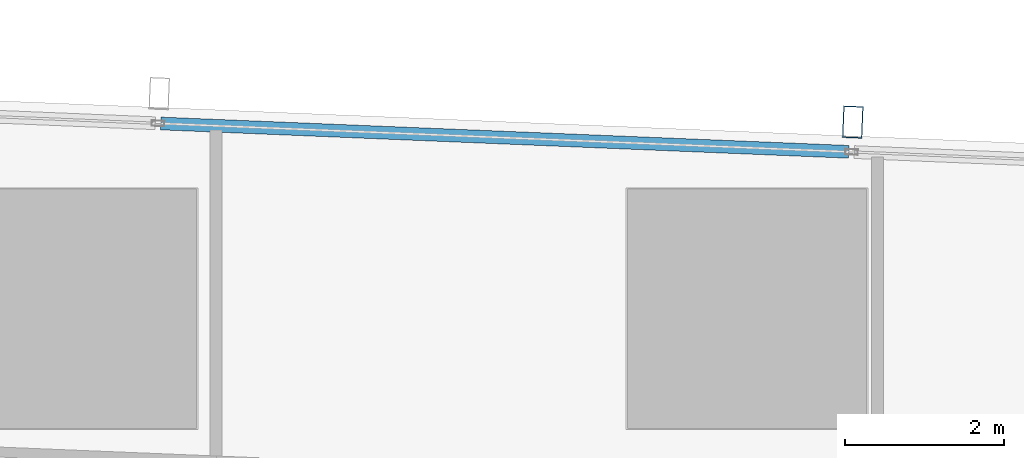
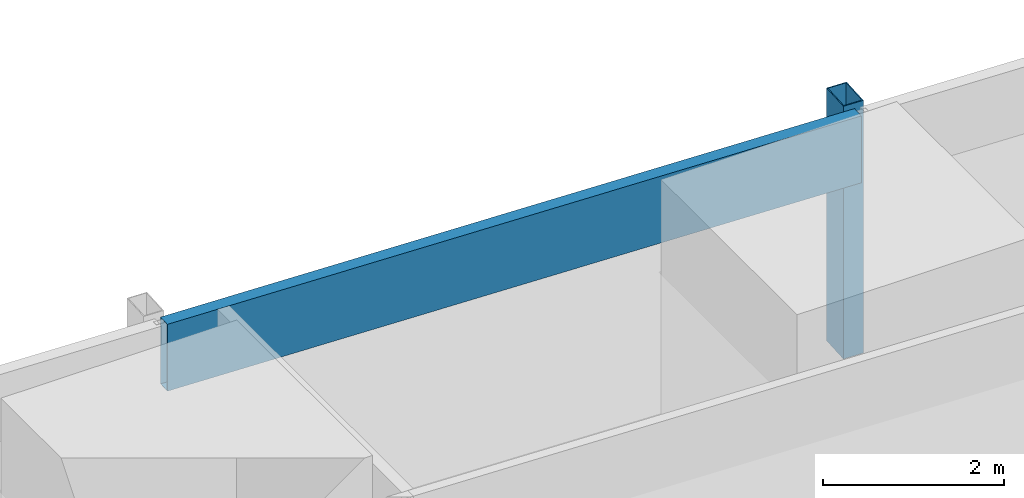
# One storey, part 24 of 44: 2 members, 1 element without a shape of its own.
"""IFC4 building model written with IfcOpenShell, lengths in metres."""

from ifc_helpers import new_model, si_unit, direction, frame, origin, origin_2d, place, context, subcontext, project, spatial, hollow_rectangle, extrude, material, material_profile, profile_set, type_object, element, aggregate, save


model = new_model("IFC4")

# Units and contexts
model_context = context("Model", 3, precision=1e-05, world=origin(), true_north=direction((0.0, 1.0)))
body_context = subcontext(model_context, "Body", "Model", "MODEL_VIEW")
ifc_project = project(units=[si_unit("LENGTHUNIT", "METRE"), si_unit("AREAUNIT", "SQUARE_METRE"), si_unit("VOLUMEUNIT", "CUBIC_METRE"), si_unit("PLANEANGLEUNIT", "RADIAN"), si_unit("MASSUNIT", "GRAM", prefix="KILO")], contexts=[model_context])

# Site, building, storey
site_placement = place(None, origin())
site = spatial("IfcSite", under=ifc_project, at=site_placement, CompositionType="ELEMENT")
building_placement = place(site_placement, origin())
building = spatial("IfcBuilding", under=site, at=building_placement, Name="Rekha Terrace Tower", CompositionType="ELEMENT")
storey_placement = place(building_placement, frame((0.0, 0.0, 81.64990234375)))
storey = spatial("IfcBuildingStorey", under=building, at=storey_placement, Name="L20", CompositionType="ELEMENT", Elevation=81.64990234375)

# Curtain wall, members
ifc_material_1 = material(Name="Aluminium framing", Category="aluminium")
curtain_wall_type = type_object("IfcCurtainWallType", Name="CW3 north unitised glazing", PredefinedType="USERDEFINED", material=ifc_material_1)
curtain_wall_placement = place(storey_placement, origin())
curtain_wall = element("IfcCurtainWall", 1, at=curtain_wall_placement, inside=storey, type_object=curtain_wall_type, Name="CW3 unitised curtain wall", ObjectType="UNITISED CURTAIN WALL", PredefinedType="USERDEFINED")
ifc_material_2 = material(Name="Steel S355 with fluorocarbon finish", Category="steel")
ifc_material_profile_1 = material_profile(ifc_material_2, hollow_rectangle(XDim=0.25, YDim=0.39990234375, WallThickness=0.012451171875, at=origin_2d()), Name="RHS400x250x12.5")
ifc_profile_set_1 = profile_set([ifc_material_profile_1], Name="Steel S355 with fluorocarbon finish")
member_type_1 = type_object("IfcMemberType", Name="BL1 facade blade RHS 400 x 250", PredefinedType="USERDEFINED", material=ifc_profile_set_1)
member_1_placement = place(storey_placement, frame((60.126953125, 61.140869140625, 0.0), z_axis=(0.0, 0.0, 1.0), x_axis=(-0.99915196507, 0.041174636562, 0.0)))
member_1 = element("IfcMember", 2, at=member_1_placement, type_object=member_type_1, Name="Facade blade", ObjectType="FACADE BLADE", PredefinedType="USERDEFINED", context=body_context, shape_type="SweptSolid", body=[
    extrude(hollow_rectangle(XDim=0.25, YDim=0.39990234375, WallThickness=0.012451171875, at=origin_2d()), origin(), (0.0, 0.0, 1.0), 3.400146484375),
])
ifc_material_3 = material(Name="Insulated aluminium spandrel box", Category="aluminium")
ifc_material_profile_2 = material_profile(ifc_material_3, hollow_rectangle(XDim=0.159912109375, YDim=0.89990234375, WallThickness=0.0029296875, at=origin_2d()), Name="AL SPANDREL BOX 160x900")
ifc_profile_set_2 = profile_set([ifc_material_profile_2], Name="Insulated aluminium spandrel box")
member_type_2 = type_object("IfcMemberType", Name="CW3 spandrel transom 160 x 900", PredefinedType="USERDEFINED", material=ifc_profile_set_2)
member_2_placement = place(storey_placement, frame((60.07666015625, 60.767578125, 2.9501953125), z_axis=(-0.999152128669, 0.041170666459, 0.0), x_axis=(-0.041170666459, -0.999152128669, 0.0)))
member_2 = element("IfcMember", 3, at=member_2_placement, type_object=member_type_2, Name="CW3 spandrel transom 2", ObjectType="TRANSOM", PredefinedType="USERDEFINED", context=body_context, shape_type="SweptSolid", body=[
    extrude(hollow_rectangle(XDim=0.159912109375, YDim=0.89990234375, WallThickness=0.0029296875, at=origin_2d()), origin(), (0.0, 0.0, 1.0), 8.634033203125),
])
aggregate(curtain_wall, [member_2, member_1])

save(model, "model.ifc")
